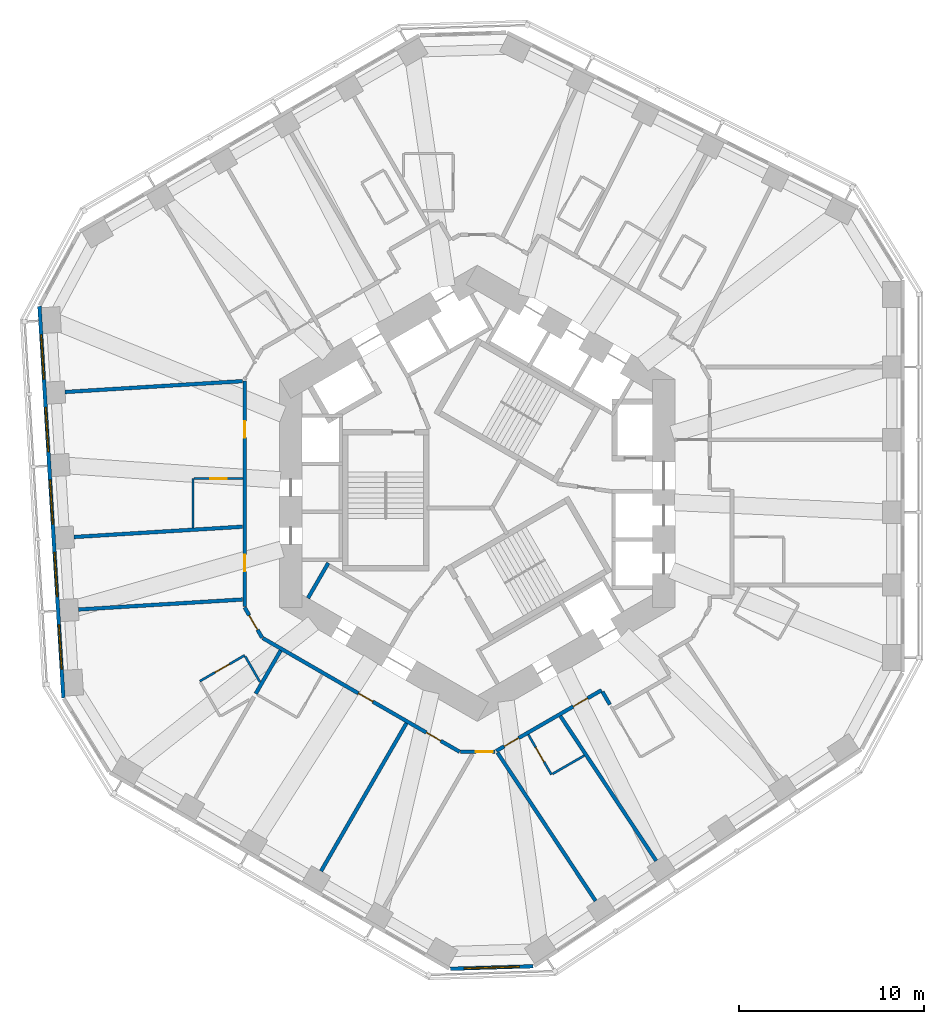
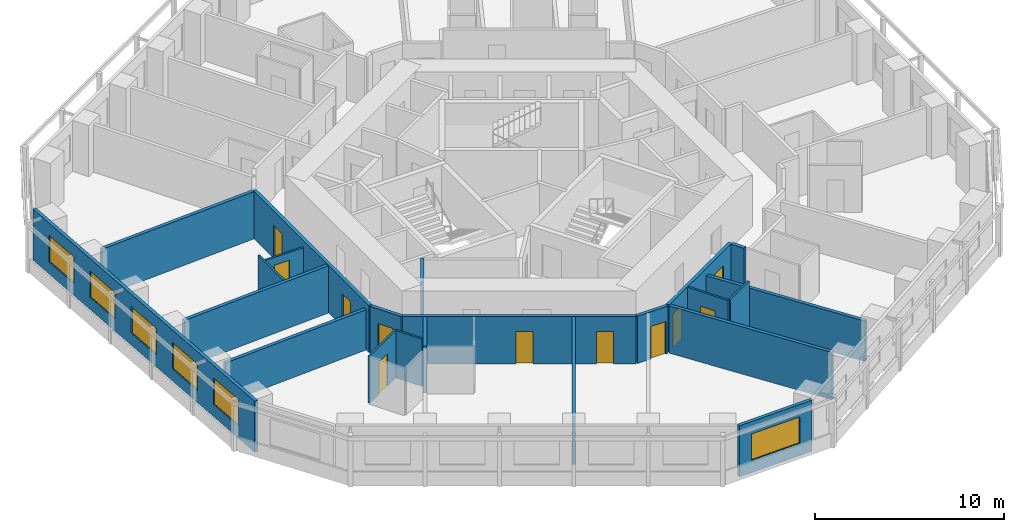
# One storey, part 4 of 12: 22 walls, 11 doors, 6 windows, 17 openings.
"""IFC4 building model written with IfcOpenShell, lengths in metres."""

from ifc_helpers import new_model, si_unit, direction, frame, frame_2d, origin, place, context, subcontext, project, spatial, rectangle, extrude, material, layer, layer_set, type_object, element, fill, save


model = new_model("IFC4")

# Units and contexts
model_context = context("Model", 3, precision=1e-05, world=origin(), true_north=direction((0.0, 1.0)))
body_context = subcontext(model_context, "Body", "Model", "MODEL_VIEW")
ifc_project = project(units=[si_unit("LENGTHUNIT", "METRE"), si_unit("AREAUNIT", "SQUARE_METRE"), si_unit("VOLUMEUNIT", "CUBIC_METRE"), si_unit("PLANEANGLEUNIT", "RADIAN"), si_unit("MASSUNIT", "GRAM", prefix="KILO")], contexts=[model_context])

# Site, building, storey
site_placement = place(None, origin())
site = spatial("IfcSite", under=ifc_project, at=site_placement, CompositionType="ELEMENT")
building_placement = place(site_placement, origin())
building = spatial("IfcBuilding", under=site, at=building_placement, Name="Vanh Sen Convention Tower", CompositionType="ELEMENT")
storey_placement = place(building_placement, frame((0.0, 0.0, 67.10009765625)))
storey = spatial("IfcBuildingStorey", under=building, at=storey_placement, Name="L14", CompositionType="ELEMENT", Elevation=67.10009765625)

# Wall
ifc_material_1 = material(Name="Moisture-resistant gypsum board on steel studs", Category="steel")
ifc_layer_1 = layer(ifc_material_1, 0.1201171875)
ifc_layer_set_1 = layer_set([ifc_layer_1], Name="Moisture-resistant gypsum board on steel studs")
wall_type_1 = type_object("IfcWallType", Name="Bathroom partition 120", PredefinedType="PARTITIONING", material=ifc_layer_set_1)
wall_1_placement = place(storey_placement, frame((-15.39990234375, -1.873779296875, 0.0), z_axis=(0.0, 0.0, 1.0), x_axis=(0.0, 1.0, 0.0)))
element("IfcWall", 1, at=wall_1_placement, inside=storey, type_object=wall_type_1, Name="Bathroom partition 120", PredefinedType="PARTITIONING", context=body_context, shape_type="SweptSolid", body=[
    extrude(rectangle(XDim=2.671142578125, YDim=0.1201171875, at=frame_2d((1.33544921875, 0.0))), origin(), (0.0, 0.0, 1.0), 3.0498046875),
])

# Wall, opening, door
wall_2_placement = place(storey_placement, frame((-15.340087890625, 0.79736328125, 0.0), z_axis=(0.0, 0.0, 1.0), x_axis=(1.0, 0.0, 0.0)))
wall_2 = element("IfcWall", 2, at=wall_2_placement, inside=storey, type_object=wall_type_1, Name="Bathroom partition 120", PredefinedType="PARTITIONING", context=body_context, shape_type="SweptSolid", body=[
    extrude(rectangle(XDim=2.64013671875, YDim=0.1201171875, at=frame_2d((1.320068359375, 0.0))), origin(), (0.0, 0.0, 1.0), 2.599853515625),
])
opening_1_placement = place(wall_2_placement, frame((0.8701171875, 0.0, 0.0)))
opening_1 = element("IfcOpeningElement", 3, at=opening_1_placement, cuts=wall_2, Name="Opening D13120", PredefinedType="OPENING", context=body_context, shape_type="SweptSolid", body=[
    extrude(rectangle(XDim=0.89990234375, YDim=2.10009765625, at=frame_2d((0.449951171875, 1.050048828125))), frame((0.0, 0.070068359375, 0.0), z_axis=(0.0, -1.0, 0.0), x_axis=(1.0, 0.0, 0.0)), (0.0, 0.0, 1.0), 0.14013671875),
])
ifc_material_2 = material(Name="Laminate door in steel frame", Category="steel")
door_type_1 = type_object("IfcDoorType", Name="En-suite door 900", OperationType="SINGLE_SWING_LEFT", PredefinedType="DOOR", material=ifc_material_2)
door_1_placement = place(opening_1_placement, origin())
door_1 = element("IfcDoor", 4, at=door_1_placement, inside=storey, type_object=door_type_1, Name="En-suite door D13120", OperationType="SINGLE_SWING_LEFT", OverallHeight=2.10009765625, OverallWidth=0.89990234375, PredefinedType="DOOR", context=body_context, shape_type="SweptSolid", body=[
    extrude(rectangle(XDim=0.89990234375, YDim=2.10009765625, at=frame_2d((0.449951171875, 1.050048828125))), frame((0.0, 0.02490234375, 0.0), z_axis=(0.0, -1.0, 0.0), x_axis=(1.0, 0.0, 0.0)), (0.0, 0.0, 1.0), 0.050048828125),
])
fill(opening_1, door_1)

wall_3_placement = place(storey_placement, frame((-15.025634765625, -10.17626953125, 0.0), z_axis=(0.0, 0.0, 1.0), x_axis=(0.865996816683, 0.500049511043, 0.0)))
wall_3 = element("IfcWall", 5, at=wall_3_placement, inside=storey, type_object=wall_type_1, Name="Bathroom partition 120", PredefinedType="PARTITIONING", context=body_context, shape_type="SweptSolid", body=[
    extrude(rectangle(XDim=2.800048828125, YDim=0.1201171875, at=frame_2d((1.39990234375, 0.0))), origin(), (0.0, 0.0, 1.0), 3.0498046875),
])
opening_2_placement = place(wall_3_placement, frame((0.949951171875, 0.0, 0.0)))
opening_2 = element("IfcOpeningElement", 6, at=opening_2_placement, cuts=wall_3, Name="Opening D13123", PredefinedType="OPENING", context=body_context, shape_type="SweptSolid", body=[
    extrude(rectangle(XDim=0.89990234375, YDim=2.10009765625, at=frame_2d((0.449951171875, 1.050048828125))), frame((0.0, 0.070068359375, 0.0), z_axis=(0.0, -1.0, 0.0), x_axis=(1.0, 0.0, 0.0)), (0.0, 0.0, 1.0), 0.14013671875),
])
door_2_placement = place(opening_2_placement, origin())
door_2 = element("IfcDoor", 7, at=door_2_placement, inside=storey, type_object=door_type_1, Name="En-suite door D13123", OperationType="SINGLE_SWING_LEFT", OverallHeight=2.10009765625, OverallWidth=0.89990234375, PredefinedType="DOOR", context=body_context, shape_type="SweptSolid", body=[
    extrude(rectangle(XDim=0.89990234375, YDim=2.10009765625, at=frame_2d((0.449951171875, 1.050048828125))), frame((0.0, 0.02490234375, 0.0), z_axis=(0.0, -1.0, 0.0), x_axis=(1.0, 0.0, 0.0)), (0.0, 0.0, 1.0), 0.050048828125),
])
fill(opening_2, door_2)

# Wall
wall_4_placement = place(storey_placement, frame((-12.57080078125, -8.828125, 0.0), z_axis=(0.0, 0.0, 1.0), x_axis=(0.499960029081, -0.866048479775, 0.0)))
element("IfcWall", 8, at=wall_4_placement, inside=storey, type_object=wall_type_1, Name="Bathroom partition 120", PredefinedType="PARTITIONING", context=body_context, shape_type="SweptSolid", body=[
    extrude(rectangle(XDim=1.601318359375, YDim=0.1201171875, at=frame_2d((0.80078125, 0.0))), origin(), (0.0, 0.0, 1.0), 3.0498046875),
])

# Wall, opening, door
wall_5_placement = place(storey_placement, frame((4.01513671875, -15.2333984375, 0.0), z_axis=(0.0, 0.0, 1.0), x_axis=(-0.499961950354, 0.866047370643, 0.0)))
wall_5 = element("IfcWall", 9, at=wall_5_placement, inside=storey, type_object=wall_type_1, Name="Bathroom partition 120", PredefinedType="PARTITIONING", context=body_context, shape_type="SweptSolid", body=[
    extrude(rectangle(XDim=2.500244140625, YDim=0.1201171875, at=frame_2d((1.25, 0.0))), origin(), (0.0, 0.0, 1.0), 3.0498046875),
])
opening_3_placement = place(wall_5_placement, frame((0.800048828125, 0.0, 0.0)))
opening_3 = element("IfcOpeningElement", 10, at=opening_3_placement, cuts=wall_5, Name="Opening D13129", PredefinedType="OPENING", context=body_context, shape_type="SweptSolid", body=[
    extrude(rectangle(XDim=0.89990234375, YDim=2.10009765625, at=frame_2d((0.449951171875, 1.050048828125))), frame((0.0, 0.070068359375, 0.0), z_axis=(0.0, -1.0, 0.0), x_axis=(1.0, 0.0, 0.0)), (0.0, 0.0, 1.0), 0.14013671875),
])
door_3_placement = place(opening_3_placement, origin())
door_3 = element("IfcDoor", 11, at=door_3_placement, inside=storey, type_object=door_type_1, Name="En-suite door D13129", OperationType="SINGLE_SWING_LEFT", OverallHeight=2.10009765625, OverallWidth=0.89990234375, PredefinedType="DOOR", context=body_context, shape_type="SweptSolid", body=[
    extrude(rectangle(XDim=0.89990234375, YDim=2.10009765625, at=frame_2d((0.449951171875, 1.050048828125))), frame((0.0, 0.02490234375, 0.0), z_axis=(0.0, -1.0, 0.0), x_axis=(1.0, 0.0, 0.0)), (0.0, 0.0, 1.0), 0.050048828125),
])
fill(opening_3, door_3)

# Wall
wall_6_placement = place(storey_placement, frame((5.79833984375, -14.20361328125, 0.0), z_axis=(0.0, 0.0, 1.0), x_axis=(-0.865972029493, -0.500092435591, 0.0)))
element("IfcWall", 12, at=wall_6_placement, inside=storey, type_object=wall_type_1, Name="Bathroom partition 120", PredefinedType="PARTITIONING", context=body_context, shape_type="SweptSolid", body=[
    extrude(rectangle(XDim=1.9990234375, YDim=0.1201171875, at=frame_2d((0.99951171875, 0.0))), origin(), (0.0, 0.0, 1.0), 3.0498046875),
])

# Wall, opening, door
ifc_material_3 = material(Name="Gypsum board on steel studs with mineral wool", Category="steel")
ifc_layer_2 = layer(ifc_material_3, 0.199951171875)
ifc_layer_set_2 = layer_set([ifc_layer_2], Name="Gypsum board on steel studs with mineral wool")
wall_type_2 = type_object("IfcWallType", Name="Corridor partition wall 200", PredefinedType="PARTITIONING", material=ifc_layer_set_2)
wall_7_placement = place(storey_placement, frame((-12.60009765625, -6.177490234375, 0.0), z_axis=(0.0, 0.0, 1.0), x_axis=(0.500063520245, -0.865988727248, 0.0)))
wall_7 = element("IfcWall", 13, at=wall_7_placement, inside=storey, type_object=wall_type_2, Name="Corridor partition wall 200", PredefinedType="PARTITIONING", context=body_context, shape_type="SweptSolid", body=[
    extrude(rectangle(XDim=1.900146484375, YDim=0.199951171875, at=frame_2d((0.9501953125, 0.0))), origin(), (0.0, 0.0, 1.0), 3.0498046875),
])
opening_4_placement = place(wall_7_placement, frame((0.5, 0.0, 0.0)))
opening_4 = element("IfcOpeningElement", 14, at=opening_4_placement, cuts=wall_7, Name="Opening D13122", PredefinedType="OPENING", context=body_context, shape_type="SweptSolid", body=[
    extrude(rectangle(XDim=0.89990234375, YDim=2.10009765625, at=frame_2d((0.449951171875, 1.050048828125))), frame((0.0, 0.10986328125, 0.0), z_axis=(0.0, -1.0, 0.0), x_axis=(1.0, 0.0, 0.0)), (0.0, 0.0, 1.0), 0.219970703125),
])
ifc_material_4 = material(Name="Timber fire door in steel frame", Category="steel")
door_type_2 = type_object("IfcDoorType", Name="Guest room door 900", OperationType="SINGLE_SWING_LEFT", PredefinedType="DOOR", material=ifc_material_4)
door_4_placement = place(opening_4_placement, origin())
door_4 = element("IfcDoor", 15, at=door_4_placement, inside=storey, type_object=door_type_2, Name="Hotel guest room door D13122", OperationType="SINGLE_SWING_LEFT", OverallHeight=2.10009765625, OverallWidth=0.89990234375, PredefinedType="DOOR", context=body_context, shape_type="SweptSolid", body=[
    extrude(rectangle(XDim=0.89990234375, YDim=2.10009765625, at=frame_2d((0.449951171875, 1.050048828125))), frame((0.0, 0.02490234375, 0.0), z_axis=(0.0, -1.0, 0.0), x_axis=(1.0, 0.0, 0.0)), (0.0, 0.0, 1.0), 0.050048828125),
])
fill(opening_4, door_4)

# Wall, openings, doors
wall_8_placement = place(storey_placement, frame((-12.60009765625, 6.081298828125, 0.0), z_axis=(0.0, 0.0, 1.0), x_axis=(0.0, -1.0, 0.0)))
wall_8 = element("IfcWall", 16, at=wall_8_placement, inside=storey, type_object=wall_type_2, Name="Corridor partition wall 200", PredefinedType="PARTITIONING", context=body_context, shape_type="SweptSolid", body=[
    extrude(rectangle(XDim=12.218994140625, YDim=0.199951171875, at=frame_2d((6.109375, 0.0))), origin(), (0.0, 0.0, 1.0), 3.0498046875),
])
opening_5_placement = place(wall_8_placement, frame((2.1669921875, 0.0, 0.0)))
opening_5 = element("IfcOpeningElement", 17, at=opening_5_placement, cuts=wall_8, Name="Opening D13119", PredefinedType="OPENING", context=body_context, shape_type="SweptSolid", body=[
    extrude(rectangle(XDim=0.89990234375, YDim=2.10009765625, at=frame_2d((0.449951171875, 1.050048828125))), frame((0.0, 0.10986328125, 0.0), z_axis=(0.0, -1.0, 0.0), x_axis=(1.0, 0.0, 0.0)), (0.0, 0.0, 1.0), 0.219970703125),
])
opening_6_placement = place(wall_8_placement, frame((9.40478515625, 0.0, 0.0)))
opening_6 = element("IfcOpeningElement", 18, at=opening_6_placement, cuts=wall_8, Name="Opening D13121", PredefinedType="OPENING", context=body_context, shape_type="SweptSolid", body=[
    extrude(rectangle(XDim=0.89990234375, YDim=2.10009765625, at=frame_2d((0.449951171875, 1.050048828125))), frame((0.0, 0.10986328125, 0.0), z_axis=(0.0, -1.0, 0.0), x_axis=(1.0, 0.0, 0.0)), (0.0, 0.0, 1.0), 0.219970703125),
])
door_type_3 = type_object("IfcDoorType", Name="Floor service door 900", OperationType="SINGLE_SWING_LEFT", PredefinedType="DOOR", material=ifc_material_4)
door_5_placement = place(opening_6_placement, origin())
door_5 = element("IfcDoor", 19, at=door_5_placement, inside=storey, type_object=door_type_3, Name="Service room door D13121", OperationType="SINGLE_SWING_LEFT", OverallHeight=2.10009765625, OverallWidth=0.89990234375, PredefinedType="DOOR", context=body_context, shape_type="SweptSolid", body=[
    extrude(rectangle(XDim=0.89990234375, YDim=2.10009765625, at=frame_2d((0.449951171875, 1.050048828125))), frame((0.0, 0.02490234375, 0.0), z_axis=(0.0, -1.0, 0.0), x_axis=(1.0, 0.0, 0.0)), (0.0, 0.0, 1.0), 0.050048828125),
])
fill(opening_6, door_5)
door_6_placement = place(opening_5_placement, origin())
door_6 = element("IfcDoor", 20, at=door_6_placement, inside=storey, type_object=door_type_2, Name="Hotel guest room door D13119", OperationType="SINGLE_SWING_LEFT", OverallHeight=2.10009765625, OverallWidth=0.89990234375, PredefinedType="DOOR", context=body_context, shape_type="SweptSolid", body=[
    extrude(rectangle(XDim=0.89990234375, YDim=2.10009765625, at=frame_2d((0.449951171875, 1.050048828125))), frame((0.0, 0.02490234375, 0.0), z_axis=(0.0, -1.0, 0.0), x_axis=(1.0, 0.0, 0.0)), (0.0, 0.0, 1.0), 0.050048828125),
])
fill(opening_5, door_6)

wall_9_placement = place(storey_placement, frame((-11.615478515625, -7.843017578125, 0.0), z_axis=(0.0, 0.0, 1.0), x_axis=(0.866026466995, -0.499998158461, 0.0)))
wall_9 = element("IfcWall", 21, at=wall_9_placement, inside=storey, type_object=wall_type_2, Name="Corridor partition wall 200", PredefinedType="PARTITIONING", context=body_context, shape_type="SweptSolid", body=[
    extrude(rectangle(XDim=12.3154296875, YDim=0.199951171875, at=frame_2d((6.15771484375, 0.0))), origin(), (0.0, 0.0, 1.0), 3.0498046875),
])
opening_7_placement = place(wall_9_placement, frame((5.982666015625, 0.0, 0.0)))
opening_7 = element("IfcOpeningElement", 22, at=opening_7_placement, cuts=wall_9, Name="Opening D13124", PredefinedType="OPENING", context=body_context, shape_type="SweptSolid", body=[
    extrude(rectangle(XDim=0.89990234375, YDim=2.10009765625, at=frame_2d((0.449951171875, 1.050048828125))), frame((0.0, 0.10986328125, 0.0), z_axis=(0.0, -1.0, 0.0), x_axis=(1.0, 0.0, 0.0)), (0.0, 0.0, 1.0), 0.219970703125),
])
opening_8_placement = place(wall_9_placement, frame((10.228759765625, 0.0, 0.0)))
opening_8 = element("IfcOpeningElement", 23, at=opening_8_placement, cuts=wall_9, Name="Opening D13126", PredefinedType="OPENING", context=body_context, shape_type="SweptSolid", body=[
    extrude(rectangle(XDim=0.89990234375, YDim=2.10009765625, at=frame_2d((0.449951171875, 1.050048828125))), frame((0.0, 0.10986328125, 0.0), z_axis=(0.0, -1.0, 0.0), x_axis=(1.0, 0.0, 0.0)), (0.0, 0.0, 1.0), 0.219970703125),
])
door_7_placement = place(opening_8_placement, origin())
door_7 = element("IfcDoor", 24, at=door_7_placement, inside=storey, type_object=door_type_3, Name="Service room door D13126", OperationType="SINGLE_SWING_LEFT", OverallHeight=2.10009765625, OverallWidth=0.89990234375, PredefinedType="DOOR", context=body_context, shape_type="SweptSolid", body=[
    extrude(rectangle(XDim=0.89990234375, YDim=2.10009765625, at=frame_2d((0.449951171875, 1.050048828125))), frame((0.0, 0.02490234375, 0.0), z_axis=(0.0, -1.0, 0.0), x_axis=(1.0, 0.0, 0.0)), (0.0, 0.0, 1.0), 0.050048828125),
])
fill(opening_8, door_7)
door_8_placement = place(opening_7_placement, origin())
door_8 = element("IfcDoor", 25, at=door_8_placement, inside=storey, type_object=door_type_2, Name="Hotel guest room door D13124", OperationType="SINGLE_SWING_LEFT", OverallHeight=2.10009765625, OverallWidth=0.89990234375, PredefinedType="DOOR", context=body_context, shape_type="SweptSolid", body=[
    extrude(rectangle(XDim=0.89990234375, YDim=2.10009765625, at=frame_2d((0.449951171875, 1.050048828125))), frame((0.0, 0.02490234375, 0.0), z_axis=(0.0, -1.0, 0.0), x_axis=(1.0, 0.0, 0.0)), (0.0, 0.0, 1.0), 0.050048828125),
])
fill(opening_7, door_8)

# Wall, opening, door
wall_10_placement = place(storey_placement, frame((-0.909912109375, -14.000732421875, 0.0), z_axis=(0.0, 0.0, 1.0), x_axis=(1.0, 0.0, 0.0)))
wall_10 = element("IfcWall", 26, at=wall_10_placement, inside=storey, type_object=wall_type_2, Name="Corridor partition wall 200", PredefinedType="PARTITIONING", context=body_context, shape_type="SweptSolid", body=[
    extrude(rectangle(XDim=1.85986328125, YDim=0.199951171875, at=frame_2d((0.929931640625, 0.0))), origin(), (0.0, 0.0, 1.0), 3.0498046875),
])
opening_9_placement = place(wall_10_placement, frame((0.841796875, 0.0, 0.0)))
opening_9 = element("IfcOpeningElement", 27, at=opening_9_placement, cuts=wall_10, Name="Opening D13127", PredefinedType="OPENING", context=body_context, shape_type="SweptSolid", body=[
    extrude(rectangle(XDim=0.89990234375, YDim=2.10009765625, at=frame_2d((0.449951171875, 1.050048828125))), frame((0.0, 0.10986328125, 0.0), z_axis=(0.0, -1.0, 0.0), x_axis=(1.0, 0.0, 0.0)), (0.0, 0.0, 1.0), 0.219970703125),
])
door_type_4 = type_object("IfcDoorType", Name="Floor room door 900", OperationType="SINGLE_SWING_LEFT", PredefinedType="DOOR", material=ifc_material_4)
door_9_placement = place(opening_9_placement, origin())
door_9 = element("IfcDoor", 28, at=door_9_placement, inside=storey, type_object=door_type_4, Name="Meeting and amenity room door D13127", OperationType="SINGLE_SWING_LEFT", OverallHeight=2.10009765625, OverallWidth=0.89990234375, PredefinedType="DOOR", context=body_context, shape_type="SweptSolid", body=[
    extrude(rectangle(XDim=0.89990234375, YDim=2.10009765625, at=frame_2d((0.449951171875, 1.050048828125))), frame((0.0, 0.02490234375, 0.0), z_axis=(0.0, -1.0, 0.0), x_axis=(1.0, 0.0, 0.0)), (0.0, 0.0, 1.0), 0.050048828125),
])
fill(opening_9, door_9)

# Wall, openings, doors
wall_11_placement = place(storey_placement, frame((1.033447265625, -13.95263671875, 0.0), z_axis=(0.0, 0.0, 1.0), x_axis=(0.866017531406, 0.500013635111, 0.0)))
wall_11 = element("IfcWall", 29, at=wall_11_placement, inside=storey, type_object=wall_type_2, Name="Corridor partition wall 200", PredefinedType="PARTITIONING", context=body_context, shape_type="SweptSolid", body=[
    extrude(rectangle(XDim=6.580322265625, YDim=0.199951171875, at=frame_2d((3.2900390625, 0.0))), origin(), (0.0, 0.0, 1.0), 3.0498046875),
])
opening_10_placement = place(wall_11_placement, frame((0.495849609375, 0.0, 0.0)))
opening_10 = element("IfcOpeningElement", 30, at=opening_10_placement, cuts=wall_11, Name="Opening D13128", PredefinedType="OPENING", context=body_context, shape_type="SweptSolid", body=[
    extrude(rectangle(XDim=0.89990234375, YDim=2.10009765625, at=frame_2d((0.449951171875, 1.050048828125))), frame((0.0, 0.10986328125, 0.0), z_axis=(0.0, -1.0, 0.0), x_axis=(1.0, 0.0, 0.0)), (0.0, 0.0, 1.0), 0.219970703125),
])
opening_11_placement = place(wall_11_placement, frame((4.81103515625, 0.0, 0.0)))
opening_11 = element("IfcOpeningElement", 31, at=opening_11_placement, cuts=wall_11, Name="Opening D13130", PredefinedType="OPENING", context=body_context, shape_type="SweptSolid", body=[
    extrude(rectangle(XDim=0.89990234375, YDim=2.10009765625, at=frame_2d((0.449951171875, 1.050048828125))), frame((0.0, 0.10986328125, 0.0), z_axis=(0.0, -1.0, 0.0), x_axis=(1.0, 0.0, 0.0)), (0.0, 0.0, 1.0), 0.219970703125),
])
door_10_placement = place(opening_10_placement, origin())
door_10 = element("IfcDoor", 32, at=door_10_placement, inside=storey, type_object=door_type_2, Name="Hotel guest room door D13128", OperationType="SINGLE_SWING_LEFT", OverallHeight=2.10009765625, OverallWidth=0.89990234375, PredefinedType="DOOR", context=body_context, shape_type="SweptSolid", body=[
    extrude(rectangle(XDim=0.89990234375, YDim=2.10009765625, at=frame_2d((0.449951171875, 1.050048828125))), frame((0.0, 0.02490234375, 0.0), z_axis=(0.0, -1.0, 0.0), x_axis=(1.0, 0.0, 0.0)), (0.0, 0.0, 1.0), 0.050048828125),
])
fill(opening_10, door_10)
door_11_placement = place(opening_11_placement, origin())
door_11 = element("IfcDoor", 33, at=door_11_placement, inside=storey, type_object=door_type_2, Name="Hotel guest room door D13130", OperationType="SINGLE_SWING_LEFT", OverallHeight=2.10009765625, OverallWidth=0.89990234375, PredefinedType="DOOR", context=body_context, shape_type="SweptSolid", body=[
    extrude(rectangle(XDim=0.89990234375, YDim=2.10009765625, at=frame_2d((0.449951171875, 1.050048828125))), frame((0.0, 0.02490234375, 0.0), z_axis=(0.0, -1.0, 0.0), x_axis=(1.0, 0.0, 0.0)), (0.0, 0.0, 1.0), 0.050048828125),
])
fill(opening_11, door_11)

# Wall
wall_12_placement = place(storey_placement, frame((6.781982421875, -10.7490234375, 0.0), z_axis=(0.0, 0.0, 1.0), x_axis=(0.500170954823, -0.865926680471, 0.0)))
element("IfcWall", 34, at=wall_12_placement, inside=storey, type_object=wall_type_2, Name="Corridor partition wall 200", PredefinedType="PARTITIONING", context=body_context, shape_type="SweptSolid", body=[
    extrude(rectangle(XDim=0.801025390625, YDim=0.199951171875, at=frame_2d((0.400390625, 0.0))), origin(), (0.0, 0.0, 1.0), 3.0498046875),
])

# Wall, openings, windows
ifc_material_5 = material(Name="Insulated lightweight infill wall")
ifc_layer_3 = layer(ifc_material_5, 0.199951171875)
ifc_layer_set_3 = layer_set([ifc_layer_3], Name="Insulated lightweight infill wall")
wall_type_3 = type_object("IfcWallType", Name="External wall 200", PredefinedType="STANDARD", material=ifc_layer_set_3)
wall_13_placement = place(storey_placement, frame((-23.712646484375, 10.130859375, 0.0), z_axis=(0.0, 0.0, 1.0), x_axis=(0.061040439785, -0.998135293791, 0.0)))
wall_13 = element("IfcWall", 35, at=wall_13_placement, inside=storey, type_object=wall_type_3, Name="External wall W L14", PredefinedType="STANDARD", context=body_context, shape_type="SweptSolid", body=[
    extrude(rectangle(XDim=21.24609375, YDim=0.199951171875, at=frame_2d((10.623046875, 0.0))), origin(), (0.0, 0.0, 1.0), 3.2998046875),
])
opening_12_placement = place(wall_13_placement, frame((1.552978515625, 0.0, 0.800048828125)))
opening_12 = element("IfcOpeningElement", 36, at=opening_12_placement, cuts=wall_13, Name="Opening WH1-W1", PredefinedType="OPENING", context=body_context, shape_type="SweptSolid", body=[
    extrude(rectangle(XDim=2.39990234375, YDim=1.699951171875, at=frame_2d((1.199951171875, 0.85009765625))), frame((0.0, 0.10986328125, 0.0), z_axis=(0.0, -1.0, 0.0), x_axis=(1.0, 0.0, 0.0)), (0.0, 0.0, 1.0), 0.219970703125),
])
opening_13_placement = place(wall_13_placement, frame((5.48779296875, 0.0, 0.800048828125)))
opening_13 = element("IfcOpeningElement", 37, at=opening_13_placement, cuts=wall_13, Name="Opening WH1-W2", PredefinedType="OPENING", context=body_context, shape_type="SweptSolid", body=[
    extrude(rectangle(XDim=2.39990234375, YDim=1.699951171875, at=frame_2d((1.199951171875, 0.85009765625))), frame((0.0, 0.10986328125, 0.0), z_axis=(0.0, -1.0, 0.0), x_axis=(1.0, 0.0, 0.0)), (0.0, 0.0, 1.0), 0.219970703125),
])
opening_14_placement = place(wall_13_placement, frame((9.42236328125, 0.0, 0.800048828125)))
opening_14 = element("IfcOpeningElement", 38, at=opening_14_placement, cuts=wall_13, Name="Opening WH1-W3", PredefinedType="OPENING", context=body_context, shape_type="SweptSolid", body=[
    extrude(rectangle(XDim=2.39990234375, YDim=1.699951171875, at=frame_2d((1.199951171875, 0.85009765625))), frame((0.0, 0.10986328125, 0.0), z_axis=(0.0, -1.0, 0.0), x_axis=(1.0, 0.0, 0.0)), (0.0, 0.0, 1.0), 0.219970703125),
])
opening_15_placement = place(wall_13_placement, frame((13.35693359375, 0.0, 0.800048828125)))
opening_15 = element("IfcOpeningElement", 39, at=opening_15_placement, cuts=wall_13, Name="Opening WH1-W4", PredefinedType="OPENING", context=body_context, shape_type="SweptSolid", body=[
    extrude(rectangle(XDim=2.39990234375, YDim=1.699951171875, at=frame_2d((1.199951171875, 0.85009765625))), frame((0.0, 0.10986328125, 0.0), z_axis=(0.0, -1.0, 0.0), x_axis=(1.0, 0.0, 0.0)), (0.0, 0.0, 1.0), 0.219970703125),
])
opening_16_placement = place(wall_13_placement, frame((17.29150390625, 0.0, 0.800048828125)))
opening_16 = element("IfcOpeningElement", 40, at=opening_16_placement, cuts=wall_13, Name="Opening WH1-W5", PredefinedType="OPENING", context=body_context, shape_type="SweptSolid", body=[
    extrude(rectangle(XDim=2.39990234375, YDim=1.699951171875, at=frame_2d((1.199951171875, 0.85009765625))), frame((0.0, 0.10986328125, 0.0), z_axis=(0.0, -1.0, 0.0), x_axis=(1.0, 0.0, 0.0)), (0.0, 0.0, 1.0), 0.219970703125),
])
ifc_material_6 = material(Name="Aluminium frame with clear low-emissivity glass", Category="aluminium")
window_type_1 = type_object("IfcWindowType", Name="Hotel window 2400 x 1700", PartitioningType="SINGLE_PANEL", PredefinedType="WINDOW", material=ifc_material_6)
window_1_placement = place(opening_12_placement, origin())
window_1 = element("IfcWindow", 41, at=window_1_placement, inside=storey, type_object=window_type_1, Name="Window WH1-W1", OverallHeight=1.699951171875, OverallWidth=2.39990234375, PartitioningType="SINGLE_PANEL", PredefinedType="WINDOW", context=body_context, shape_type="SweptSolid", body=[
    extrude(rectangle(XDim=2.39990234375, YDim=1.699951171875, at=frame_2d((1.199951171875, 0.85009765625))), frame((0.0, 0.030029296875, 0.0), z_axis=(0.0, -1.0, 0.0), x_axis=(1.0, 0.0, 0.0)), (0.0, 0.0, 1.0), 0.06005859375),
])
fill(opening_12, window_1)
window_2_placement = place(opening_13_placement, origin())
window_2 = element("IfcWindow", 42, at=window_2_placement, inside=storey, type_object=window_type_1, Name="Window WH1-W2", OverallHeight=1.699951171875, OverallWidth=2.39990234375, PartitioningType="SINGLE_PANEL", PredefinedType="WINDOW", context=body_context, shape_type="SweptSolid", body=[
    extrude(rectangle(XDim=2.39990234375, YDim=1.699951171875, at=frame_2d((1.199951171875, 0.85009765625))), frame((0.0, 0.030029296875, 0.0), z_axis=(0.0, -1.0, 0.0), x_axis=(1.0, 0.0, 0.0)), (0.0, 0.0, 1.0), 0.06005859375),
])
fill(opening_13, window_2)
window_3_placement = place(opening_14_placement, origin())
window_3 = element("IfcWindow", 43, at=window_3_placement, inside=storey, type_object=window_type_1, Name="Window WH1-W3", OverallHeight=1.699951171875, OverallWidth=2.39990234375, PartitioningType="SINGLE_PANEL", PredefinedType="WINDOW", context=body_context, shape_type="SweptSolid", body=[
    extrude(rectangle(XDim=2.39990234375, YDim=1.699951171875, at=frame_2d((1.199951171875, 0.85009765625))), frame((0.0, 0.030029296875, 0.0), z_axis=(0.0, -1.0, 0.0), x_axis=(1.0, 0.0, 0.0)), (0.0, 0.0, 1.0), 0.06005859375),
])
fill(opening_14, window_3)
window_4_placement = place(opening_15_placement, origin())
window_4 = element("IfcWindow", 44, at=window_4_placement, inside=storey, type_object=window_type_1, Name="Window WH1-W4", OverallHeight=1.699951171875, OverallWidth=2.39990234375, PartitioningType="SINGLE_PANEL", PredefinedType="WINDOW", context=body_context, shape_type="SweptSolid", body=[
    extrude(rectangle(XDim=2.39990234375, YDim=1.699951171875, at=frame_2d((1.199951171875, 0.85009765625))), frame((0.0, 0.030029296875, 0.0), z_axis=(0.0, -1.0, 0.0), x_axis=(1.0, 0.0, 0.0)), (0.0, 0.0, 1.0), 0.06005859375),
])
fill(opening_15, window_4)
window_5_placement = place(opening_16_placement, origin())
window_5 = element("IfcWindow", 45, at=window_5_placement, inside=storey, type_object=window_type_1, Name="Window WH1-W5", OverallHeight=1.699951171875, OverallWidth=2.39990234375, PartitioningType="SINGLE_PANEL", PredefinedType="WINDOW", context=body_context, shape_type="SweptSolid", body=[
    extrude(rectangle(XDim=2.39990234375, YDim=1.699951171875, at=frame_2d((1.199951171875, 0.85009765625))), frame((0.0, 0.030029296875, 0.0), z_axis=(0.0, -1.0, 0.0), x_axis=(1.0, 0.0, 0.0)), (0.0, 0.0, 1.0), 0.06005859375),
])
fill(opening_16, window_5)

# Wall, opening, window
wall_14_placement = place(storey_placement, frame((-1.461181640625, -25.7548828125, 0.0), z_axis=(0.0, 0.0, 1.0), x_axis=(0.999533823446, 0.030530898895, 0.0)))
wall_14 = element("IfcWall", 46, at=wall_14_placement, inside=storey, type_object=wall_type_3, Name="External wall CH5 L14", PredefinedType="STANDARD", context=body_context, shape_type="SweptSolid", body=[
    extrude(rectangle(XDim=4.494140625, YDim=0.199951171875, at=frame_2d((2.2470703125, 0.0))), origin(), (0.0, 0.0, 1.0), 3.2998046875),
])
opening_17_placement = place(wall_14_placement, frame((0.7470703125, 0.0, 0.800048828125)))
opening_17 = element("IfcOpeningElement", 47, at=opening_17_placement, cuts=wall_14, Name="Opening WH2-CH51", PredefinedType="OPENING", context=body_context, shape_type="SweptSolid", body=[
    extrude(rectangle(XDim=3.0, YDim=1.699951171875, at=frame_2d((1.5, 0.85009765625))), frame((0.0, 0.10986328125, 0.0), z_axis=(0.0, -1.0, 0.0), x_axis=(1.0, 0.0, 0.0)), (0.0, 0.0, 1.0), 0.219970703125),
])
window_type_2 = type_object("IfcWindowType", Name="Hotel window 3000 x 1700", PartitioningType="SINGLE_PANEL", PredefinedType="WINDOW", material=ifc_material_6)
window_6_placement = place(opening_17_placement, origin())
window_6 = element("IfcWindow", 48, at=window_6_placement, inside=storey, type_object=window_type_2, Name="Window WH2-CH51", OverallHeight=1.699951171875, OverallWidth=3.0, PartitioningType="SINGLE_PANEL", PredefinedType="WINDOW", context=body_context, shape_type="SweptSolid", body=[
    extrude(rectangle(XDim=3.0, YDim=1.699951171875, at=frame_2d((1.5, 0.85009765625))), frame((0.0, 0.030029296875, 0.0), z_axis=(0.0, -1.0, 0.0), x_axis=(1.0, 0.0, 0.0)), (0.0, 0.0, 1.0), 0.06005859375),
])
fill(opening_17, window_6)

# Walls
ifc_layer_4 = layer(ifc_material_3, 0.199951171875)
ifc_layer_set_4 = layer_set([ifc_layer_4], Name="Gypsum board on steel studs with mineral wool")
wall_type_4 = type_object("IfcWallType", Name="Hotel party wall 200", PredefinedType="PARTITIONING", material=ifc_layer_set_4)
wall_15_placement = place(storey_placement, frame((-22.32666015625, 5.486328125, 0.0), z_axis=(0.0, 0.0, 1.0), x_axis=(0.998135194863, 0.061042057435, 0.0)))
element("IfcWall", 49, at=wall_15_placement, inside=storey, type_object=wall_type_4, Name="Hotel party wall 200", PredefinedType="PARTITIONING", context=body_context, shape_type="SweptSolid", body=[
    extrude(rectangle(XDim=9.635009765625, YDim=0.199951171875, at=frame_2d((4.8173828125, 0.0))), origin(), (0.0, 0.0, 1.0), 3.0498046875),
])
wall_16_placement = place(storey_placement, frame((-21.84619140625, -2.3681640625, 0.0), z_axis=(0.0, 0.0, 1.0), x_axis=(0.998134617584, 0.061051496129, 0.0)))
element("IfcWall", 50, at=wall_16_placement, inside=storey, type_object=wall_type_4, Name="Hotel party wall 200", PredefinedType="PARTITIONING", context=body_context, shape_type="SweptSolid", body=[
    extrude(rectangle(XDim=9.153564453125, YDim=0.199951171875, at=frame_2d((4.57666015625, 0.0))), origin(), (0.0, 0.0, 1.0), 3.0498046875),
])
wall_17_placement = place(storey_placement, frame((-21.60595703125, -6.29541015625, 0.0), z_axis=(0.0, 0.0, 1.0), x_axis=(0.998134305525, 0.061056597794, 0.0)))
element("IfcWall", 51, at=wall_17_placement, inside=storey, type_object=wall_type_4, Name="Hotel party wall 200", PredefinedType="PARTITIONING", context=body_context, shape_type="SweptSolid", body=[
    extrude(rectangle(XDim=8.912841796875, YDim=0.199951171875, at=frame_2d((4.45654296875, 0.0))), origin(), (0.0, 0.0, 1.0), 2.599853515625),
])
wall_18_placement = place(storey_placement, frame((-11.99951171875, -10.8544921875, 0.0), z_axis=(0.0, 0.0, 1.0), x_axis=(0.50000943426, 0.866019956843, 0.0)))
element("IfcWall", 52, at=wall_18_placement, inside=storey, type_object=wall_type_4, Name="Hotel party wall 200", PredefinedType="PARTITIONING", context=body_context, shape_type="SweptSolid", body=[
    extrude(rectangle(XDim=2.7001953125, YDim=0.199951171875, at=frame_2d((1.35009765625, 0.0))), origin(), (0.0, 0.0, 1.0), 3.0498046875),
])
wall_19_placement = place(storey_placement, frame((-8.459716796875, -20.46142578125, 0.0), z_axis=(0.0, 0.0, 1.0), x_axis=(0.499999662836, 0.866025598446, 0.0)))
element("IfcWall", 53, at=wall_19_placement, inside=storey, type_object=wall_type_4, Name="Hotel party wall 200", PredefinedType="PARTITIONING", context=body_context, shape_type="SweptSolid", body=[
    extrude(rectangle(XDim=9.25, YDim=0.199951171875, at=frame_2d((4.625, 0.0))), origin(), (0.0, 0.0, 1.0), 3.0498046875),
])
wall_20_placement = place(storey_placement, frame((6.411865234375, -22.07861328125, 0.0), z_axis=(0.0, 0.0, 1.0), x_axis=(-0.551919507115, 0.83389739037, 0.0)))
element("IfcWall", 54, at=wall_20_placement, inside=storey, type_object=wall_type_4, Name="Hotel party wall 200", PredefinedType="PARTITIONING", context=body_context, shape_type="SweptSolid", body=[
    extrude(rectangle(XDim=9.634765625, YDim=0.199951171875, at=frame_2d((4.8173828125, 0.0))), origin(), (0.0, 0.0, 1.0), 3.0498046875),
])
wall_21_placement = place(storey_placement, frame((9.69287109375, -19.906982421875, 0.0), z_axis=(0.0, 0.0, 1.0), x_axis=(-0.551938394837, 0.833884889121, 0.0)))
element("IfcWall", 55, at=wall_21_placement, inside=storey, type_object=wall_type_4, Name="Hotel party wall 200", PredefinedType="PARTITIONING", context=body_context, shape_type="SweptSolid", body=[
    extrude(rectangle(XDim=9.394287109375, YDim=0.199951171875, at=frame_2d((4.697265625, 0.0))), origin(), (0.0, 0.0, 1.0), 2.599853515625),
])
ifc_material_7 = material(Name="Concrete C40/50", Category="concrete")
ifc_layer_5 = layer(ifc_material_7, 0.199951171875)
ifc_layer_set_5 = layer_set([ifc_layer_5], Name="Concrete C40/50")
wall_type_5 = type_object("IfcWallType", Name="Lift shaft wall 200", PredefinedType="PARTITIONING", material=ifc_layer_set_5)
wall_22_placement = place(storey_placement, frame((-8.066650390625, -3.77197265625, 0.0), z_axis=(0.0, 0.0, 1.0), x_axis=(-0.50002983664, -0.866008176907, 0.0)))
element("IfcWall", 56, at=wall_22_placement, inside=storey, type_object=wall_type_5, Name="Lift shaft wall L14", PredefinedType="PARTITIONING", context=body_context, shape_type="SweptSolid", body=[
    extrude(rectangle(XDim=2.199951171875, YDim=0.199951171875, at=frame_2d((1.10009765625, 0.0))), origin(), (0.0, 0.0, 1.0), 3.0498046875),
])

save(model, "model.ifc")
